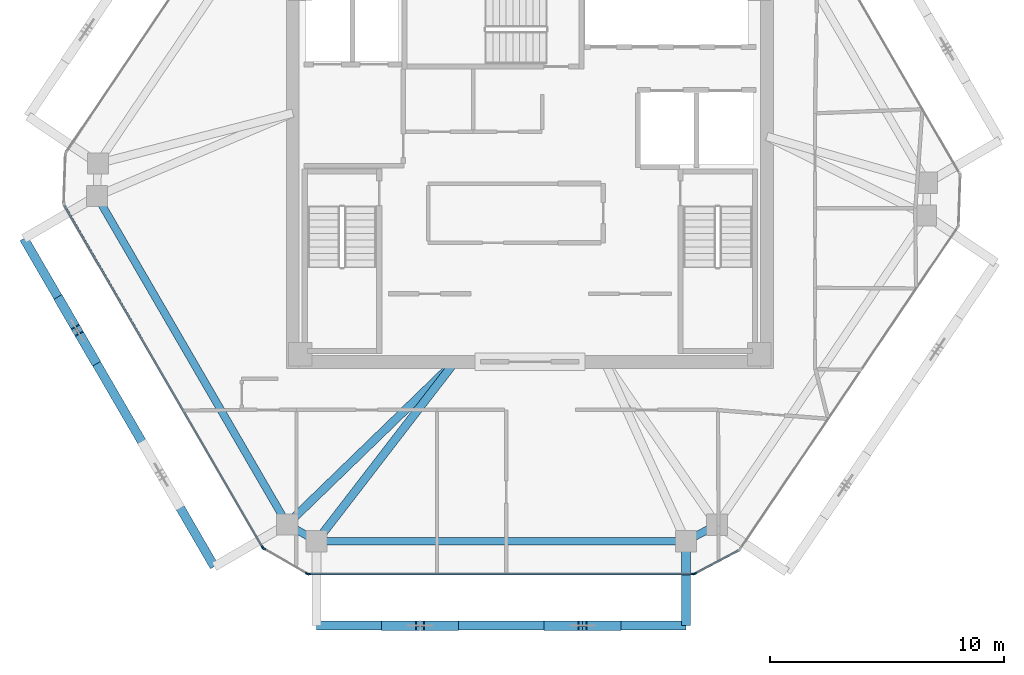
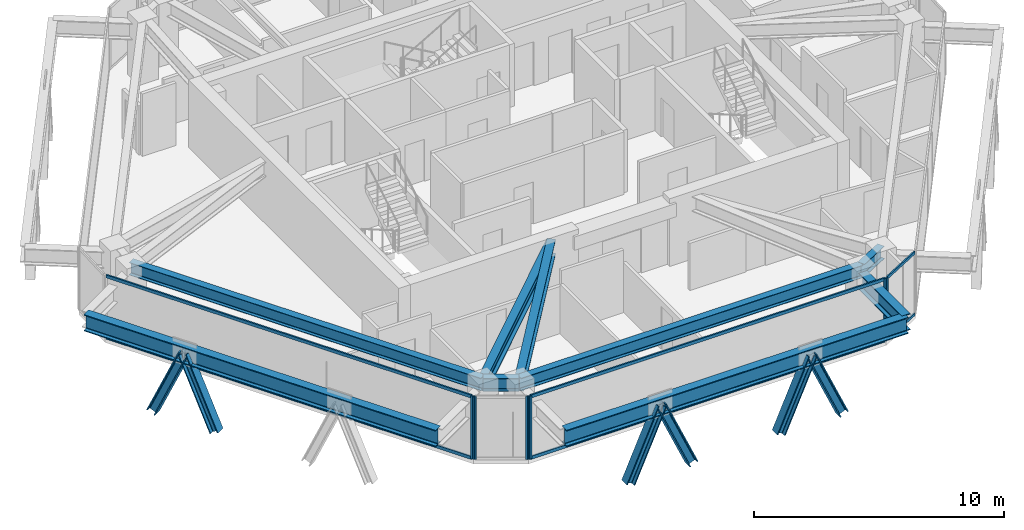
# One storey, part 2 of 13: 18 members, 9 beams, 4 elements without a shape of their own.
"""IFC4 building model written with IfcOpenShell, lengths in metres."""

from ifc_helpers import new_model, si_unit, direction, frame, origin, origin_2d, place, context, subcontext, project, spatial, rectangle, i_section, extrude, source, transform, mapped, material, layer, layer_set, material_profile, profile_set, type_object, type_shapes, element, aggregate, save


model = new_model("IFC4")

# Units and contexts
model_context = context("Model", 3, precision=1e-05, world=origin(), true_north=direction((0.0, 1.0)))
body_context = subcontext(model_context, "Body", "Model", "MODEL_VIEW")
ifc_project = project(units=[si_unit("LENGTHUNIT", "METRE"), si_unit("AREAUNIT", "SQUARE_METRE"), si_unit("VOLUMEUNIT", "CUBIC_METRE"), si_unit("PLANEANGLEUNIT", "RADIAN"), si_unit("MASSUNIT", "GRAM", prefix="KILO")], contexts=[model_context])

# Site, building, storey
site_placement = place(None, origin())
site = spatial("IfcSite", under=ifc_project, at=site_placement, CompositionType="ELEMENT")
building_placement = place(site_placement, origin())
building = spatial("IfcBuilding", under=site, at=building_placement, Name="Durnholm Broadcast Tower", CompositionType="ELEMENT")
storey_placement = place(building_placement, frame((0.0, 0.0, 228.199951171875)))
storey = spatial("IfcBuildingStorey", under=building, at=storey_placement, Name="L63", CompositionType="ELEMENT", Elevation=228.199951171875)

# Beams
ifc_material_1 = material(Name="Steel ASTM A992 Grade 50", Category="steel")
ifc_material_profile_1 = material_profile(ifc_material_1, i_section(OverallWidth=0.385009765625, OverallDepth=0.802978515625, WebThickness=0.023681640625, FlangeThickness=0.0419921875, FilletRadius=0.032958984375, at=origin_2d()), Name="W30X261")
ifc_profile_set_1 = profile_set([ifc_material_profile_1], Name="Steel ASTM A992 Grade 50")
beam_type_1 = type_object("IfcBeamType", Name="BM-EXO-TIE", PredefinedType="USERDEFINED", material=ifc_profile_set_1)
shared_shape_1 = source(origin(), body_context, "Body", "SweptSolid", [
    extrude(i_section(OverallWidth=0.385009765625, OverallDepth=0.802978515625, WebThickness=0.023681640625, FlangeThickness=0.0419921875, FilletRadius=0.032958984375, at=origin_2d()), origin(), (0.0, 0.0, 1.0), 3.4560546875),
])
beam_1_placement = place(storey_placement, frame((6.663818359375, -15.929931640625, 2.30859375), z_axis=(0.0, -1.0, 0.0), x_axis=(1.0, 0.0, 0.0)))
element("IfcBeam", 1, at=beam_1_placement, inside=storey, type_object=beam_type_1, Name="L63 exoskeleton stand-off tie bracket F1.2", ObjectType="GIRDER", PredefinedType="USERDEFINED", context=body_context, shape_type="MappedRepresentation", body=[
    mapped(shared_shape_1, transform((0.0, 0.0, 0.0), x_axis=(1.0, 0.0, 0.0), y_axis=(0.0, 1.0, 0.0), z_axis=(0.0, 0.0, 1.0), scale=1.0)),
])
ifc_material_profile_2 = material_profile(ifc_material_1, i_section(OverallWidth=0.3251953125, OverallDepth=0.6162109375, WebThickness=0.013916015625, FlangeThickness=0.021484375, FilletRadius=0.02783203125, at=origin_2d()), Name="W24X117")
ifc_profile_set_2 = profile_set([ifc_material_profile_2], Name="Steel ASTM A992 Grade 50")
beam_type_2 = type_object("IfcBeamType", Name="STL-SP-W24X117", PredefinedType="SPANDREL", material=ifc_profile_set_2)
shared_shape_2 = source(origin(), body_context, "Body", "SweptSolid", [
    extrude(i_section(OverallWidth=0.3251953125, OverallDepth=0.6162109375, WebThickness=0.013916015625, FlangeThickness=0.021484375, FilletRadius=0.02783203125, at=origin_2d()), origin(), (0.0, 0.0, 1.0), 16.202880859375),
])
beam_2_placement = place(storey_placement, frame((-10.361328125, -15.061767578125, 2.737060546875), z_axis=(-0.501948303381, 0.864897624423, 0.0), x_axis=(-0.864897624423, -0.501948303381, 0.0)))
element("IfcBeam", 2, at=beam_2_placement, inside=storey, type_object=beam_type_2, Name="L63 perimeter spandrel girder 01", PredefinedType="SPANDREL", context=body_context, shape_type="MappedRepresentation", body=[
    mapped(shared_shape_2, transform((0.0, 0.0, 0.0), x_axis=(1.0, 0.0, 0.0), y_axis=(0.0, 1.0, 0.0), z_axis=(0.0, 0.0, 1.0), scale=1.0)),
])
shared_shape_3 = source(origin(), body_context, "Body", "SweptSolid", [
    extrude(i_section(OverallWidth=0.3251953125, OverallDepth=0.6162109375, WebThickness=0.013916015625, FlangeThickness=0.021484375, FilletRadius=0.02783203125, at=origin_2d()), origin(), (0.0, 0.0, 1.0), 1.502685546875),
])
beam_3_placement = place(storey_placement, frame((7.990966796875, -15.081298828125, 2.737060546875), z_axis=(-0.883241909673, -0.468917614296, 0.0), x_axis=(0.468917614296, -0.883241909673, 0.0)))
element("IfcBeam", 3, at=beam_3_placement, inside=storey, type_object=beam_type_2, Name="L63 perimeter spandrel girder 10", PredefinedType="SPANDREL", context=body_context, shape_type="MappedRepresentation", body=[
    mapped(shared_shape_3, transform((0.0, 0.0, 0.0), x_axis=(1.0, 0.0, 0.0), y_axis=(0.0, 1.0, 0.0), z_axis=(0.0, 0.0, 1.0), scale=1.0)),
])
shared_shape_4 = source(origin(), body_context, "Body", "SweptSolid", [
    extrude(i_section(OverallWidth=0.3251953125, OverallDepth=0.6162109375, WebThickness=0.013916015625, FlangeThickness=0.021484375, FilletRadius=0.02783203125, at=origin_2d()), origin(), (0.0, 0.0, 1.0), 15.767578125),
])
beam_4_placement = place(storey_placement, frame((6.663818359375, -15.785888671875, 2.737060546875), z_axis=(-1.0, 0.0, 0.0), x_axis=(0.0, -1.0, 0.0)))
element("IfcBeam", 4, at=beam_4_placement, inside=storey, type_object=beam_type_2, Name="L63 perimeter spandrel girder 11", PredefinedType="SPANDREL", context=body_context, shape_type="MappedRepresentation", body=[
    mapped(shared_shape_4, transform((0.0, 0.0, 0.0), x_axis=(1.0, 0.0, 0.0), y_axis=(0.0, 1.0, 0.0), z_axis=(0.0, 0.0, 1.0), scale=1.0)),
])
shared_shape_5 = source(origin(), body_context, "Body", "SweptSolid", [
    extrude(i_section(OverallWidth=0.3251953125, OverallDepth=0.6162109375, WebThickness=0.013916015625, FlangeThickness=0.021484375, FilletRadius=0.02783203125, at=origin_2d()), origin(), (0.0, 0.0, 1.0), 1.451171875),
])
type_shapes(beam_type_2, [shared_shape_2, shared_shape_3, shared_shape_4, shared_shape_5])
beam_5_placement = place(storey_placement, frame((-9.103759765625, -15.785888671875, 2.737060546875), z_axis=(-0.866602615509, 0.498998904601, 0.0), x_axis=(-0.498998904601, -0.866602615509, 0.0)))
element("IfcBeam", 5, at=beam_5_placement, inside=storey, type_object=beam_type_2, Name="L63 perimeter spandrel girder 12", PredefinedType="SPANDREL", context=body_context, shape_type="MappedRepresentation", body=[
    mapped(shared_shape_5, transform((0.0, 0.0, 0.0), x_axis=(1.0, 0.0, 0.0), y_axis=(0.0, 1.0, 0.0), z_axis=(0.0, 0.0, 1.0), scale=1.0)),
])
shared_shape_6 = source(origin(), body_context, "Body", "SweptSolid", [
    extrude(i_section(OverallWidth=0.385009765625, OverallDepth=0.802978515625, WebThickness=0.023681640625, FlangeThickness=0.0419921875, FilletRadius=0.032958984375, at=origin_2d()), origin(), (0.0, 0.0, 1.0), 15.767578125),
])
beam_6_placement = place(storey_placement, frame((-9.103759765625, -19.385986328125, 2.30859375), z_axis=(1.0, 0.0, 0.0), x_axis=(0.0, 1.0, 0.0)))
element("IfcBeam", 6, at=beam_6_placement, inside=storey, type_object=beam_type_1, Name="L63 exoskeleton collector spandrel F1", PredefinedType="SPANDREL", context=body_context, shape_type="MappedRepresentation", body=[
    mapped(shared_shape_6, transform((0.0, 0.0, 0.0), x_axis=(1.0, 0.0, 0.0), y_axis=(0.0, 1.0, 0.0), z_axis=(0.0, 0.0, 1.0), scale=1.0)),
])
shared_shape_7 = source(origin(), body_context, "Body", "SweptSolid", [
    extrude(i_section(OverallWidth=0.385009765625, OverallDepth=0.802978515625, WebThickness=0.023681640625, FlangeThickness=0.0419921875, FilletRadius=0.032958984375, at=origin_2d()), origin(), (0.0, 0.0, 1.0), 16.20263671875),
])
type_shapes(beam_type_1, [shared_shape_1, shared_shape_6, shared_shape_7])
beam_7_placement = place(storey_placement, frame((-21.60791015625, -2.85498046875, 2.30859375), z_axis=(0.501943573333, -0.864900369516, 0.0), x_axis=(0.864900369516, 0.501943573333, 0.0)))
element("IfcBeam", 7, at=beam_7_placement, inside=storey, type_object=beam_type_1, Name="L63 exoskeleton collector spandrel F6", PredefinedType="SPANDREL", context=body_context, shape_type="MappedRepresentation", body=[
    mapped(shared_shape_7, transform((0.0, 0.0, 0.0), x_axis=(1.0, 0.0, 0.0), y_axis=(0.0, 1.0, 0.0), z_axis=(0.0, 0.0, 1.0), scale=1.0)),
])
ifc_material_profile_3 = material_profile(ifc_material_1, i_section(OverallWidth=0.3564453125, OverallDepth=0.713623046875, WebThickness=0.01904296875, FlangeThickness=0.033935546875, FilletRadius=0.030517578125, at=origin_2d()), Name="W27X194")
ifc_profile_set_3 = profile_set([ifc_material_profile_3], Name="Steel ASTM A992 Grade 50")
beam_type_3 = type_object("IfcBeamType", Name="STL-GR-W27X194", PredefinedType="USERDEFINED", material=ifc_profile_set_3)
shared_shape_8 = source(origin(), body_context, "Body", "SweptSolid", [
    extrude(i_section(OverallWidth=0.3564453125, OverallDepth=0.713623046875, WebThickness=0.01904296875, FlangeThickness=0.033935546875, FilletRadius=0.030517578125, at=origin_2d()), origin(), (0.0, 0.0, 1.0), 9.97021484375),
])
beam_8_placement = place(storey_placement, frame((-3.199951171875, -8.125, 2.688232421875), z_axis=(-0.718281140352, -0.695752975857, 0.0), x_axis=(0.695752975857, -0.718281140352, 0.0)))
element("IfcBeam", 8, at=beam_8_placement, inside=storey, type_object=beam_type_3, Name="L63 radial primary floor girder 01", ObjectType="GIRDER", PredefinedType="USERDEFINED", context=body_context, shape_type="MappedRepresentation", body=[
    mapped(shared_shape_8, transform((0.0, 0.0, 0.0), x_axis=(1.0, 0.0, 0.0), y_axis=(0.0, 1.0, 0.0), z_axis=(0.0, 0.0, 1.0), scale=1.0)),
])
shared_shape_9 = source(origin(), body_context, "Body", "SweptSolid", [
    extrude(i_section(OverallWidth=0.3564453125, OverallDepth=0.713623046875, WebThickness=0.01904296875, FlangeThickness=0.033935546875, FilletRadius=0.030517578125, at=origin_2d()), origin(), (0.0, 0.0, 1.0), 9.671875),
])
type_shapes(beam_type_3, [shared_shape_8, shared_shape_9])
beam_9_placement = place(storey_placement, frame((-3.199951171875, -8.125, 2.688232421875), z_axis=(-0.610413181287, -0.792083169945, 0.0), x_axis=(0.792083169945, -0.610413181287, 0.0)))
element("IfcBeam", 9, at=beam_9_placement, inside=storey, type_object=beam_type_3, Name="L63 radial primary floor girder 12", ObjectType="GIRDER", PredefinedType="USERDEFINED", context=body_context, shape_type="MappedRepresentation", body=[
    mapped(shared_shape_9, transform((0.0, 0.0, 0.0), x_axis=(1.0, 0.0, 0.0), y_axis=(0.0, 1.0, 0.0), z_axis=(0.0, 0.0, 1.0), scale=1.0)),
])

# Members
ifc_material_2 = material(Name="Steel ASTM A913 Grade 65", Category="steel")
ifc_material_profile_4 = material_profile(ifc_material_2, i_section(OverallWidth=0.40625, OverallDepth=0.416015625, WebThickness=0.02978515625, FlangeThickness=0.048095703125, FilletRadius=0.030517578125, at=origin_2d()), Name="W14X257")
ifc_profile_set_4 = profile_set([ifc_material_profile_4], Name="Steel ASTM A913 Grade 65")
member_type_1 = type_object("IfcMemberType", Name="STL-DG-W14X257", PredefinedType="BRACE", material=ifc_profile_set_4)
shared_shape_10 = source(origin(), body_context, "Body", "SweptSolid", [
    extrude(i_section(OverallWidth=0.40625, OverallDepth=0.416015625, WebThickness=0.02978515625, FlangeThickness=0.048095703125, FilletRadius=0.030517578125, at=origin_2d()), origin(), (0.0, 0.0, 1.0), 3.60791015625),
])
for number, where, z_axis, x_axis, name in (
    (10, (-6.14697265625, -19.385986328125, -0.991455078125), (0.404184914295, 0.0, 0.914677295584), (0.0, 1.0, 0.0), "L63 stand-off diagrid brace F1.D1.1"),
    (11, (0.79052734375, -19.385986328125, -0.991455078125), (0.404184914295, 0.0, 0.914677295584), (0.0, 1.0, 0.0), "L63 stand-off diagrid brace F1.D2.1"),
    (12, (3.70703125, -19.385986328125, -0.991455078125), (-0.404184914295, 0.0, 0.914677295584), (0.0, -1.0, 0.0), "L63 stand-off diagrid brace F1.D2.2"),
    (13, (-20.0625, -5.517578125, -0.991455078125), (0.202806304578, -0.349582038522, 0.914692298626), (0.864978863669, 0.501808295473, 0.0), "L63 stand-off diagrid brace F6.D1.1"),
    (14, (-18.5986328125, -8.0400390625, -0.991455078125), (-0.202936072208, 0.349572440488, 0.914667185072), (-0.864833498681, -0.50205878098, 0.0), "L63 stand-off diagrid brace F6.D1.2"),
):
    element("IfcMember", number, at=place(storey_placement, frame(where, z_axis=z_axis, x_axis=x_axis)), inside=storey, type_object=member_type_1, Name=name, PredefinedType="BRACE", context=body_context, shape_type="MappedRepresentation", body=[
        mapped(shared_shape_10, transform((0.0, 0.0, 0.0), x_axis=(1.0, 0.0, 0.0), y_axis=(0.0, 1.0, 0.0), z_axis=(0.0, 0.0, 1.0), scale=1.0)),
    ])
shared_shape_11 = source(origin(), body_context, "Body", "SweptSolid", [
    extrude(i_section(OverallWidth=0.40625, OverallDepth=0.416015625, WebThickness=0.02978515625, FlangeThickness=0.048095703125, FilletRadius=0.030517578125, at=origin_2d()), origin(), (0.0, 0.0, 1.0), 3.607666015625),
])
type_shapes(member_type_1, [shared_shape_10, shared_shape_11])
member_1_placement = place(storey_placement, frame((-3.230712890625, -19.385986328125, -0.991455078125), z_axis=(-0.404128298032, 0.0, 0.914702311536), x_axis=(0.0, -1.0, 0.0)))
element("IfcMember", 15, at=member_1_placement, inside=storey, type_object=member_type_1, Name="L63 stand-off diagrid brace F1.D1.2", PredefinedType="BRACE", context=body_context, shape_type="MappedRepresentation", body=[
    mapped(shared_shape_11, transform((0.0, 0.0, 0.0), x_axis=(1.0, 0.0, 0.0), y_axis=(0.0, 1.0, 0.0), z_axis=(0.0, 0.0, 1.0), scale=1.0)),
])

# Curtain wall, members
ifc_material_3 = material(Name="Aluminium and Solar Control IGU", Category="aluminium")
ifc_layer_1 = layer(ifc_material_3, 0.1650390625)
ifc_layer_set_1 = layer_set([ifc_layer_1], Name="Aluminium and Solar Control IGU")
curtain_wall_type_1 = type_object("IfcCurtainWallType", Name="CW-SYS-5", PredefinedType="NOTDEFINED", material=ifc_layer_set_1)
curtain_wall_1_placement = place(storey_placement, origin())
curtain_wall_1 = element("IfcCurtainWall", 16, at=curtain_wall_1_placement, inside=storey, type_object=curtain_wall_type_1, Name="L63 curtain wall CW-CORNER CW-L63-CRN-09", PredefinedType="NOTDEFINED")
ifc_material_4 = material(Name="Aluminium 6063-T6", Category="aluminium")
ifc_material_profile_5 = material_profile(ifc_material_4, rectangle(XDim=0.06494140625, YDim=0.1298828125, at=origin_2d()), Name="CWT65X130")
ifc_profile_set_5 = profile_set([ifc_material_profile_5], Name="Aluminium 6063-T6")
member_type_2 = type_object("IfcMemberType", Name="CW-SYS-5-TRN", PredefinedType="USERDEFINED", material=ifc_profile_set_5)
shared_shape_12 = source(origin(), body_context, "Body", "SweptSolid", [
    extrude(rectangle(XDim=0.06494140625, YDim=0.1298828125, at=origin_2d()), origin(), (0.0, 0.0, 1.0), 2.070068359375),
])
type_shapes(member_type_2, [shared_shape_12])
member_2_placement = place(storey_placement, frame((8.89794921875, -16.1845703125, 0.032470703125), z_axis=(-0.883164581026, -0.469063239682, 0.0), x_axis=(0.469063239682, -0.883164581026, 0.0)))
member_2 = element("IfcMember", 17, at=member_2_placement, type_object=member_type_2, Name="CW-CORNER transom 1.1", ObjectType="TRANSOM", PredefinedType="USERDEFINED", context=body_context, shape_type="MappedRepresentation", body=[
    mapped(shared_shape_12, transform((0.0, 0.0, 0.0), x_axis=(1.0, 0.0, 0.0), y_axis=(0.0, 1.0, 0.0), z_axis=(0.0, 0.0, 1.0), scale=1.0)),
])
member_3_placement = place(storey_placement, frame((8.89794921875, -16.1845703125, 3.027587890625), z_axis=(-0.883164581026, -0.469063239682, 0.0), x_axis=(0.469063239682, -0.883164581026, 0.0)))
member_3 = element("IfcMember", 18, at=member_3_placement, type_object=member_type_2, Name="CW-CORNER transom 1.2", ObjectType="TRANSOM", PredefinedType="USERDEFINED", context=body_context, shape_type="MappedRepresentation", body=[
    mapped(shared_shape_12, transform((0.0, 0.0, 0.0), x_axis=(1.0, 0.0, 0.0), y_axis=(0.0, 1.0, 0.0), z_axis=(0.0, 0.0, 1.0), scale=1.0)),
])
ifc_material_profile_6 = material_profile(ifc_material_4, rectangle(XDim=0.06494140625, YDim=0.1650390625, at=origin_2d()), Name="CWM65X165")
ifc_profile_set_6 = profile_set([ifc_material_profile_6], Name="Aluminium 6063-T6")
member_type_3 = type_object("IfcMemberType", Name="CW-SYS-5-MUL", PredefinedType="MULLION", material=ifc_profile_set_6)
shared_shape_13 = source(origin(), body_context, "Body", "SweptSolid", [
    extrude(rectangle(XDim=0.06494140625, YDim=0.1650390625, at=origin_2d()), origin(), (0.0, 0.0, 1.0), 3.06005859375),
])
type_shapes(member_type_3, [shared_shape_13])
member_4_placement = place(storey_placement, frame((7.041015625, -17.170654296875, 0.0), z_axis=(0.0, 0.0, 1.0), x_axis=(0.469006771575, -0.883194569853, 0.0)))
member_4 = element("IfcMember", 19, at=member_4_placement, type_object=member_type_3, Name="CW-CORNER mullion 2", PredefinedType="MULLION", context=body_context, shape_type="MappedRepresentation", body=[
    mapped(shared_shape_13, transform((0.0, 0.0, 0.0), x_axis=(1.0, 0.0, 0.0), y_axis=(0.0, 1.0, 0.0), z_axis=(0.0, 0.0, 1.0), scale=1.0)),
])
aggregate(curtain_wall_1, [member_4, member_2, member_3])

curtain_wall_2_placement = place(storey_placement, origin())
curtain_wall_2 = element("IfcCurtainWall", 20, at=curtain_wall_2_placement, inside=storey, type_object=curtain_wall_type_1, Name="L63 curtain wall CW-CORNER CW-L63-CRN-11", PredefinedType="NOTDEFINED")
member_5_placement = place(storey_placement, frame((-9.506103515625, -17.169677734375, 0.0), z_axis=(0.0, 0.0, 1.0), x_axis=(-0.499058582333, -0.866568249707, 0.0)))
member_5 = element("IfcMember", 21, at=member_5_placement, type_object=member_type_3, Name="CW-CORNER mullion 1", PredefinedType="MULLION", context=body_context, shape_type="MappedRepresentation", body=[
    mapped(shared_shape_13, transform((0.0, 0.0, 0.0), x_axis=(1.0, 0.0, 0.0), y_axis=(0.0, 1.0, 0.0), z_axis=(0.0, 0.0, 1.0), scale=1.0)),
])
member_6_placement = place(storey_placement, frame((-11.356201171875, -16.104248046875, 0.0), z_axis=(0.0, 0.0, 1.0), x_axis=(-0.499058582333, -0.866568249707, 0.0)))
member_6 = element("IfcMember", 22, at=member_6_placement, type_object=member_type_3, Name="CW-CORNER mullion 2", PredefinedType="MULLION", context=body_context, shape_type="MappedRepresentation", body=[
    mapped(shared_shape_13, transform((0.0, 0.0, 0.0), x_axis=(1.0, 0.0, 0.0), y_axis=(0.0, 1.0, 0.0), z_axis=(0.0, 0.0, 1.0), scale=1.0)),
])
aggregate(curtain_wall_2, [member_5, member_6])

ifc_layer_2 = layer(ifc_material_3, 0.18994140625)
ifc_layer_set_2 = layer_set([ifc_layer_2], Name="Aluminium and Solar Control IGU")
curtain_wall_type_2 = type_object("IfcCurtainWallType", Name="CW-SYS-4", PredefinedType="NOTDEFINED", material=ifc_layer_set_2)
curtain_wall_3_placement = place(storey_placement, origin())
curtain_wall_3 = element("IfcCurtainWall", 23, at=curtain_wall_3_placement, inside=storey, type_object=curtain_wall_type_2, Name="L63 curtain wall CW-Z34-VIS CW-L63-F10", PredefinedType="NOTDEFINED")
ifc_material_profile_7 = material_profile(ifc_material_4, rectangle(XDim=0.070068359375, YDim=0.18994140625, at=origin_2d()), Name="CWM70X190")
ifc_profile_set_7 = profile_set([ifc_material_profile_7], Name="Aluminium 6063-T6")
member_type_4 = type_object("IfcMemberType", Name="CW-SYS-4-MUL", PredefinedType="MULLION", material=ifc_profile_set_7)
shared_shape_14 = source(origin(), body_context, "Body", "SweptSolid", [
    extrude(rectangle(XDim=0.070068359375, YDim=0.18994140625, at=origin_2d()), origin(), (0.0, 0.0, 1.0), 3.06005859375),
])
type_shapes(member_type_4, [shared_shape_14])
member_7_placement = place(storey_placement, frame((6.977294921875, -17.18603515625, 0.0), z_axis=(0.0, 0.0, 1.0), x_axis=(0.0, -1.0, 0.0)))
member_7 = element("IfcMember", 24, at=member_7_placement, type_object=member_type_4, Name="CW-Z34-VIS mullion 1", PredefinedType="MULLION", context=body_context, shape_type="MappedRepresentation", body=[
    mapped(shared_shape_14, transform((0.0, 0.0, 0.0), x_axis=(1.0, 0.0, 0.0), y_axis=(0.0, 1.0, 0.0), z_axis=(0.0, 0.0, 1.0), scale=1.0)),
])
member_8_placement = place(storey_placement, frame((-9.443115234375, -17.18603515625, 0.0), z_axis=(0.0, 0.0, 1.0), x_axis=(0.0, -1.0, 0.0)))
member_8 = element("IfcMember", 25, at=member_8_placement, type_object=member_type_4, Name="CW-Z34-VIS mullion 2", PredefinedType="MULLION", context=body_context, shape_type="MappedRepresentation", body=[
    mapped(shared_shape_14, transform((0.0, 0.0, 0.0), x_axis=(1.0, 0.0, 0.0), y_axis=(0.0, 1.0, 0.0), z_axis=(0.0, 0.0, 1.0), scale=1.0)),
])

# Curtain wall, member
curtain_wall_4_placement = place(storey_placement, origin())
curtain_wall_4 = element("IfcCurtainWall", 26, at=curtain_wall_4_placement, inside=storey, type_object=curtain_wall_type_2, Name="L63 curtain wall CW-Z34-VIS CW-L63-F12", PredefinedType="NOTDEFINED")
member_9_placement = place(storey_placement, frame((-11.40185546875, -16.057861328125, 0.0), z_axis=(0.0, 0.0, 1.0), x_axis=(-0.864899883824, -0.50194441023, 0.0)))
member_9 = element("IfcMember", 27, at=member_9_placement, type_object=member_type_4, Name="CW-Z34-VIS mullion 1", PredefinedType="MULLION", context=body_context, shape_type="MappedRepresentation", body=[
    mapped(shared_shape_14, transform((0.0, 0.0, 0.0), x_axis=(1.0, 0.0, 0.0), y_axis=(0.0, 1.0, 0.0), z_axis=(0.0, 0.0, 1.0), scale=1.0)),
])

# Member
ifc_material_profile_8 = material_profile(ifc_material_4, rectangle(XDim=0.070068359375, YDim=0.14990234375, at=origin_2d()), Name="CWT70X150")
ifc_profile_set_8 = profile_set([ifc_material_profile_8], Name="Aluminium 6063-T6")
member_type_5 = type_object("IfcMemberType", Name="CW-SYS-4-TRN", PredefinedType="USERDEFINED", material=ifc_profile_set_8)
shared_shape_15 = source(origin(), body_context, "Body", "SweptSolid", [
    extrude(rectangle(XDim=0.070068359375, YDim=0.14990234375, at=origin_2d()), origin(), (0.0, 0.0, 1.0), 16.350341796875),
])
member_10_placement = place(storey_placement, frame((6.9423828125, -17.18603515625, 0.03515625), z_axis=(-1.0, 0.0, 0.0), x_axis=(0.0, -1.0, 0.0)))
member_10 = element("IfcMember", 28, at=member_10_placement, type_object=member_type_5, Name="CW-Z34-VIS transom 1.1", ObjectType="TRANSOM", PredefinedType="USERDEFINED", context=body_context, shape_type="MappedRepresentation", body=[
    mapped(shared_shape_15, transform((0.0, 0.0, 0.0), x_axis=(1.0, 0.0, 0.0), y_axis=(0.0, 1.0, 0.0), z_axis=(0.0, 0.0, 1.0), scale=1.0)),
])

member_11_placement = place(storey_placement, frame((6.9423828125, -17.18603515625, 3.025146484375), z_axis=(-1.0, 0.0, 0.0), x_axis=(0.0, -1.0, 0.0)))
member_11 = element("IfcMember", 29, at=member_11_placement, type_object=member_type_5, Name="CW-Z34-VIS transom 1.2", ObjectType="TRANSOM", PredefinedType="USERDEFINED", context=body_context, shape_type="MappedRepresentation", body=[
    mapped(shared_shape_15, transform((0.0, 0.0, 0.0), x_axis=(1.0, 0.0, 0.0), y_axis=(0.0, 1.0, 0.0), z_axis=(0.0, 0.0, 1.0), scale=1.0)),
])

aggregate(curtain_wall_3, [member_7, member_8, member_10, member_11])

shared_shape_16 = source(origin(), body_context, "Body", "SweptSolid", [
    extrude(rectangle(XDim=0.070068359375, YDim=0.14990234375, at=origin_2d()), origin(), (0.0, 0.0, 1.0), 16.83984375),
])
type_shapes(member_type_5, [shared_shape_15, shared_shape_16])
member_12_placement = place(storey_placement, frame((-11.41943359375, -16.027587890625, 0.03515625), z_axis=(-0.501945239029, 0.86489940283, 0.0), x_axis=(-0.86489940283, -0.501945239029, 0.0)))
member_12 = element("IfcMember", 30, at=member_12_placement, type_object=member_type_5, Name="CW-Z34-VIS transom 1.1", ObjectType="TRANSOM", PredefinedType="USERDEFINED", context=body_context, shape_type="MappedRepresentation", body=[
    mapped(shared_shape_16, transform((0.0, 0.0, 0.0), x_axis=(1.0, 0.0, 0.0), y_axis=(0.0, 1.0, 0.0), z_axis=(0.0, 0.0, 1.0), scale=1.0)),
])

member_13_placement = place(storey_placement, frame((-11.41943359375, -16.027587890625, 3.025146484375), z_axis=(-0.501945239029, 0.86489940283, 0.0), x_axis=(-0.86489940283, -0.501945239029, 0.0)))
member_13 = element("IfcMember", 31, at=member_13_placement, type_object=member_type_5, Name="CW-Z34-VIS transom 1.2", ObjectType="TRANSOM", PredefinedType="USERDEFINED", context=body_context, shape_type="MappedRepresentation", body=[
    mapped(shared_shape_16, transform((0.0, 0.0, 0.0), x_axis=(1.0, 0.0, 0.0), y_axis=(0.0, 1.0, 0.0), z_axis=(0.0, 0.0, 1.0), scale=1.0)),
])

aggregate(curtain_wall_4, [member_9, member_12, member_13])

save(model, "model.ifc")
